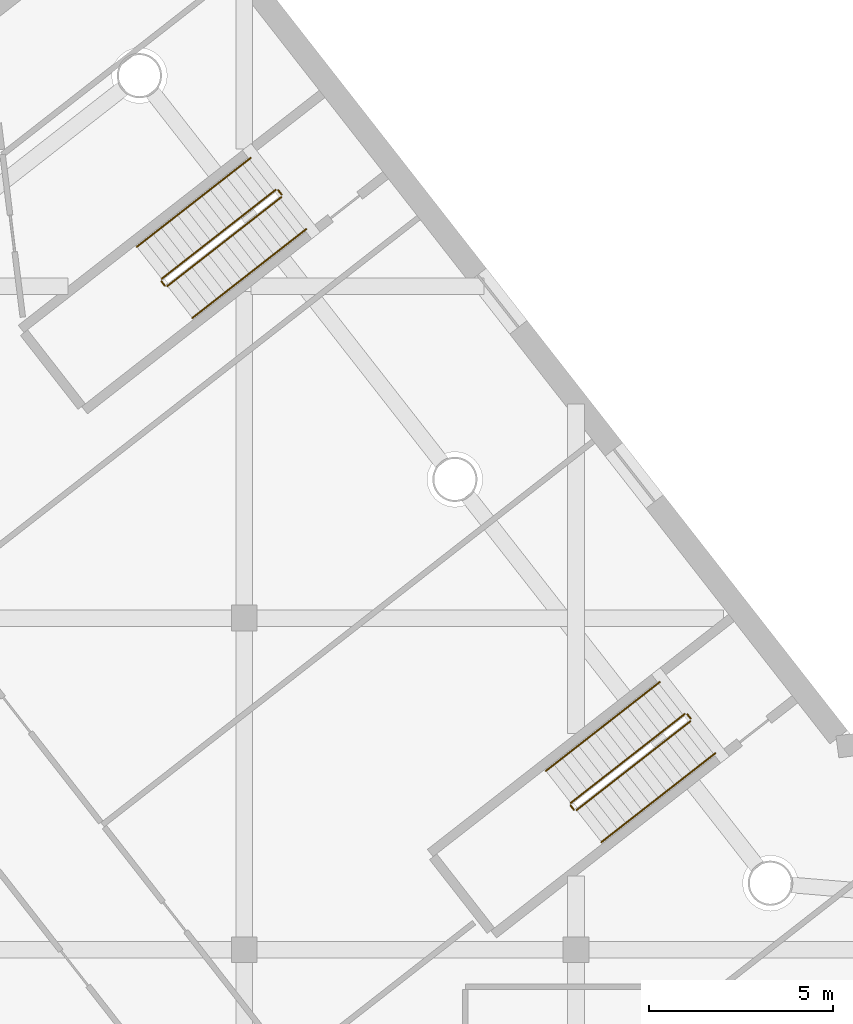
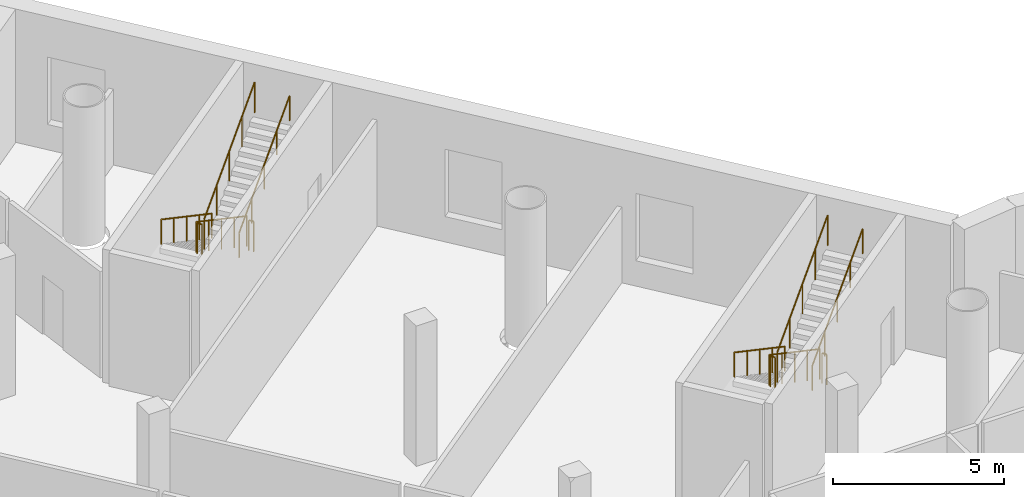
# One storey, part 22 of 22: 16 railings.
"""IFC4 building model written with IfcOpenShell, lengths in metres."""

from ifc_helpers import new_model, si_unit, direction, frame, origin, origin_2d, place, context, subcontext, project, spatial, circle, extrude, material, type_object, element, save


model = new_model("IFC4")

# Units and contexts
model_context = context("Model", 3, precision=1e-05, world=origin(), true_north=direction((0.0, 1.0)))
body_context = subcontext(model_context, "Body", "Model", "MODEL_VIEW")
ifc_project = project(units=[si_unit("LENGTHUNIT", "METRE"), si_unit("AREAUNIT", "SQUARE_METRE"), si_unit("VOLUMEUNIT", "CUBIC_METRE"), si_unit("PLANEANGLEUNIT", "RADIAN"), si_unit("MASSUNIT", "GRAM", prefix="KILO")], contexts=[model_context])

# Site, building, storey
site_placement = place(None, origin())
site = spatial("IfcSite", under=ifc_project, at=site_placement, CompositionType="ELEMENT")
building_placement = place(site_placement, origin())
building = spatial("IfcBuilding", under=site, at=building_placement, Name="Tarsis Ring Headquarters", CompositionType="ELEMENT")
storey_placement = place(building_placement, frame((0.0, 0.0, 25.0)))
storey = spatial("IfcBuildingStorey", under=building, at=storey_placement, Name="L04", CompositionType="ELEMENT", Elevation=25.0)

# Railings
ifc_material = material(Name="Stainless steel", Category="steel")
railing_type_1 = type_object("IfcRailingType", Name="PO-RL-G", PredefinedType="GUARDRAIL", material=ifc_material)
railing_1_placement = place(storey_placement, frame((-6.04931640625, 33.3994140625, 0.166748046875)))
element("IfcRailing", 1, at=railing_1_placement, inside=storey, type_object=railing_type_1, Name="L04 PS3 stair guard 1", PredefinedType="GUARDRAIL", context=body_context, shape_type="SweptSolid", body=[
    extrude(circle(Radius=0.02392578125, at=origin_2d()), frame((0.0, 0.0, 1.076171875), z_axis=(-0.677387004646, -0.528711876345, 0.511478834116), x_axis=(0.615285015563, -0.788304731448, 0.0)), (0.0, 0.0, 1.0), 4.561767578125),
    extrude(circle(Radius=0.02099609375, at=origin_2d()), origin(), (0.0, 0.0, 1.0), 1.052001953125),
    extrude(circle(Radius=0.02099609375, at=origin_2d()), frame((-0.7724609375, -0.60302734375, 0.583251953125)), (0.0, 0.0, 1.0), 1.052001953125),
    extrude(circle(Radius=0.02099609375, at=origin_2d()), frame((-1.544921875, -1.2060546875, 1.16650390625)), (0.0, 0.0, 1.0), 1.052001953125),
    extrude(circle(Radius=0.02099609375, at=origin_2d()), frame((-2.317626953125, -1.808837890625, 1.75)), (0.0, 0.0, 1.0), 1.052001953125),
    extrude(circle(Radius=0.02099609375, at=origin_2d()), frame((-3.090087890625, -2.411865234375, 2.333251953125)), (0.0, 0.0, 1.0), 1.052001953125),
])
railing_2_placement = place(storey_placement, frame((-9.148193359375, 30.917236328125, 2.5)))
element("IfcRailing", 2, at=railing_2_placement, inside=storey, type_object=railing_type_1, Name="L04 PS3 stair guard 2", PredefinedType="GUARDRAIL", context=body_context, shape_type="SweptSolid", body=[
    extrude(circle(Radius=0.02392578125, at=origin_2d()), frame((0.0, 0.0, 1.076171875), z_axis=(0.615517636689, -0.788123111528, 0.0), x_axis=(0.788123111528, 0.615517636689, 0.0)), (0.0, 0.0, 1.0), 0.14990234375),
    extrude(circle(Radius=0.02099609375, at=origin_2d()), origin(), (0.0, 0.0, 1.0), 1.052001953125),
    extrude(circle(Radius=0.02099609375, at=origin_2d()), frame((0.09228515625, -0.1181640625, 0.0)), (0.0, 0.0, 1.0), 1.052001953125),
])
railing_3_placement = place(storey_placement, frame((-8.985595703125, 30.790283203125, 2.666748046875)))
element("IfcRailing", 3, at=railing_3_placement, inside=storey, type_object=railing_type_1, Name="L04 PS3 stair guard 3", PredefinedType="GUARDRAIL", context=body_context, shape_type="SweptSolid", body=[
    extrude(circle(Radius=0.02392578125, at=origin_2d()), frame((0.0, 0.0, 1.076171875), z_axis=(0.677367837142, 0.528750433038, 0.511464361189), x_axis=(-0.615323716961, 0.788274522832, 0.0)), (0.0, 0.0, 1.0), 4.56201171875),
    extrude(circle(Radius=0.02099609375, at=origin_2d()), origin(), (0.0, 0.0, 1.0), 1.052001953125),
    extrude(circle(Radius=0.02099609375, at=origin_2d()), frame((0.7724609375, 0.60302734375, 0.583251953125)), (0.0, 0.0, 1.0), 1.052001953125),
    extrude(circle(Radius=0.02099609375, at=origin_2d()), frame((1.544921875, 1.2060546875, 1.16650390625)), (0.0, 0.0, 1.0), 1.052001953125),
    extrude(circle(Radius=0.02099609375, at=origin_2d()), frame((2.317626953125, 1.80908203125, 1.75)), (0.0, 0.0, 1.0), 1.052001953125),
    extrude(circle(Radius=0.02099609375, at=origin_2d()), frame((3.090087890625, 2.412109375, 2.333251953125)), (0.0, 0.0, 1.0), 1.052001953125),
])
railing_4_placement = place(storey_placement, frame((-5.979248046875, 33.390869140625, 0.0)))
element("IfcRailing", 4, at=railing_4_placement, inside=storey, type_object=railing_type_1, Name="L04 PS3 stair guard 4", PredefinedType="GUARDRAIL", context=body_context, shape_type="SweptSolid", body=[
    extrude(circle(Radius=0.02392578125, at=origin_2d()), frame((0.0, 0.0, 1.076171875), z_axis=(0.615517636689, -0.788123111528, 0.0), x_axis=(0.788123111528, 0.615517636689, 0.0)), (0.0, 0.0, 1.0), 0.14990234375),
    extrude(circle(Radius=0.02099609375, at=origin_2d()), origin(), (0.0, 0.0, 1.0), 1.052001953125),
    extrude(circle(Radius=0.02099609375, at=origin_2d()), frame((0.09228515625, -0.1181640625, 0.0)), (0.0, 0.0, 1.0), 1.052001953125),
])
railing_5_placement = place(storey_placement, frame((-17.1494140625, 47.61962890625, 0.166748046875)))
element("IfcRailing", 5, at=railing_5_placement, inside=storey, type_object=railing_type_1, Name="L04 PS4 stair guard 1", PredefinedType="GUARDRAIL", context=body_context, shape_type="SweptSolid", body=[
    extrude(circle(Radius=0.02392578125, at=origin_2d()), frame((0.0, 0.0, 1.076171875), z_axis=(-0.677367837142, -0.528750433038, 0.511464361189), x_axis=(0.615323716961, -0.788274522832, 0.0)), (0.0, 0.0, 1.0), 4.56201171875),
    extrude(circle(Radius=0.02099609375, at=origin_2d()), origin(), (0.0, 0.0, 1.0), 1.052001953125),
    extrude(circle(Radius=0.02099609375, at=origin_2d()), frame((-0.7724609375, -0.60302734375, 0.583251953125)), (0.0, 0.0, 1.0), 1.052001953125),
    extrude(circle(Radius=0.02099609375, at=origin_2d()), frame((-1.544921875, -1.2060546875, 1.16650390625)), (0.0, 0.0, 1.0), 1.052001953125),
    extrude(circle(Radius=0.02099609375, at=origin_2d()), frame((-2.317626953125, -1.80908203125, 1.75)), (0.0, 0.0, 1.0), 1.052001953125),
    extrude(circle(Radius=0.02099609375, at=origin_2d()), frame((-3.090087890625, -2.412109375, 2.333251953125)), (0.0, 0.0, 1.0), 1.052001953125),
])
railing_6_placement = place(storey_placement, frame((-20.248046875, 45.13720703125, 2.5)))
element("IfcRailing", 6, at=railing_6_placement, inside=storey, type_object=railing_type_1, Name="L04 PS4 stair guard 2", PredefinedType="GUARDRAIL", context=body_context, shape_type="SweptSolid", body=[
    extrude(circle(Radius=0.02392578125, at=origin_2d()), frame((0.0, 0.0, 1.076171875), z_axis=(0.615517636689, -0.788123111528, 0.0), x_axis=(0.788123111528, 0.615517636689, 0.0)), (0.0, 0.0, 1.0), 0.14990234375),
    extrude(circle(Radius=0.02099609375, at=origin_2d()), origin(), (0.0, 0.0, 1.0), 1.052001953125),
    extrude(circle(Radius=0.02099609375, at=origin_2d()), frame((0.09228515625, -0.1181640625, 0.0)), (0.0, 0.0, 1.0), 1.052001953125),
])
railing_7_placement = place(storey_placement, frame((-20.085693359375, 45.010498046875, 2.666748046875)))
element("IfcRailing", 7, at=railing_7_placement, inside=storey, type_object=railing_type_1, Name="L04 PS4 stair guard 3", PredefinedType="GUARDRAIL", context=body_context, shape_type="SweptSolid", body=[
    extrude(circle(Radius=0.02392578125, at=origin_2d()), frame((0.0, 0.0, 1.076171875), z_axis=(0.677387004646, 0.528711876345, 0.511478834116), x_axis=(-0.615285015563, 0.788304731448, 0.0)), (0.0, 0.0, 1.0), 4.561767578125),
    extrude(circle(Radius=0.02099609375, at=origin_2d()), origin(), (0.0, 0.0, 1.0), 1.052001953125),
    extrude(circle(Radius=0.02099609375, at=origin_2d()), frame((0.7724609375, 0.60302734375, 0.583251953125)), (0.0, 0.0, 1.0), 1.052001953125),
    extrude(circle(Radius=0.02099609375, at=origin_2d()), frame((1.544921875, 1.2060546875, 1.16650390625)), (0.0, 0.0, 1.0), 1.052001953125),
    extrude(circle(Radius=0.02099609375, at=origin_2d()), frame((2.317626953125, 1.808837890625, 1.75)), (0.0, 0.0, 1.0), 1.052001953125),
    extrude(circle(Radius=0.02099609375, at=origin_2d()), frame((3.090087890625, 2.411865234375, 2.333251953125)), (0.0, 0.0, 1.0), 1.052001953125),
])
railing_8_placement = place(storey_placement, frame((-17.0791015625, 47.61083984375, 0.0)))
element("IfcRailing", 8, at=railing_8_placement, inside=storey, type_object=railing_type_1, Name="L04 PS4 stair guard 4", PredefinedType="GUARDRAIL", context=body_context, shape_type="SweptSolid", body=[
    extrude(circle(Radius=0.02392578125, at=origin_2d()), frame((0.0, 0.0, 1.076171875), z_axis=(0.615517636689, -0.788123111528, 0.0), x_axis=(0.788123111528, 0.615517636689, 0.0)), (0.0, 0.0, 1.0), 0.14990234375),
    extrude(circle(Radius=0.02099609375, at=origin_2d()), origin(), (0.0, 0.0, 1.0), 1.052001953125),
    extrude(circle(Radius=0.02099609375, at=origin_2d()), frame((0.09228515625, -0.1181640625, 0.0)), (0.0, 0.0, 1.0), 1.052001953125),
])
railing_type_2 = type_object("IfcRailingType", Name="PO-RL-H", PredefinedType="HANDRAIL", material=ifc_material)
railing_9_placement = place(storey_placement, frame((-6.726318359375, 34.2666015625, 0.166748046875)))
element("IfcRailing", 9, at=railing_9_placement, inside=storey, type_object=railing_type_2, Name="L04 PS3 stair handrail 1", PredefinedType="HANDRAIL", context=body_context, shape_type="SweptSolid", body=[
    extrude(circle(Radius=0.02392578125, at=origin_2d()), frame((0.0, 0.0, 0.8759765625), z_axis=(-0.677357414854, -0.528784075439, 0.511443383087), x_axis=(0.615353926401, -0.78825094054, 0.0)), (0.0, 0.0, 1.0), 2.28076171875),
    extrude(circle(Radius=0.02099609375, at=origin_2d()), origin(), (0.0, 0.0, 1.0), 0.851806640625),
    extrude(circle(Radius=0.02099609375, at=origin_2d()), frame((-0.7724609375, -0.60302734375, 0.583251953125)), (0.0, 0.0, 1.0), 0.851806640625),
    extrude(circle(Radius=0.02099609375, at=origin_2d()), frame((-1.544921875, -1.2060546875, 1.16650390625)), (0.0, 0.0, 1.0), 0.851806640625),
])
railing_10_placement = place(storey_placement, frame((-8.271240234375, 33.060546875, 1.333251953125)))
element("IfcRailing", 10, at=railing_10_placement, inside=storey, type_object=railing_type_2, Name="L04 PS3 stair handrail 1 bay 2", PredefinedType="HANDRAIL", context=body_context, shape_type="SweptSolid", body=[
    extrude(circle(Radius=0.02392578125, at=origin_2d()), frame((0.0, 0.0, 0.8759765625), z_axis=(-0.677378256966, -0.52871679403, 0.511485335763), x_axis=(0.615293509583, -0.78829810165, 0.0)), (0.0, 0.0, 1.0), 2.281005859375),
    extrude(circle(Radius=0.02099609375, at=origin_2d()), frame((-0.7724609375, -0.60302734375, 0.58349609375)), (0.0, 0.0, 1.0), 0.851806640625),
    extrude(circle(Radius=0.02099609375, at=origin_2d()), frame((-1.545166015625, -1.2060546875, 1.166748046875)), (0.0, 0.0, 1.0), 0.851806640625),
])
railing_11_placement = place(storey_placement, frame((-8.308837890625, 29.92333984375, 2.666748046875)))
element("IfcRailing", 11, at=railing_11_placement, inside=storey, type_object=railing_type_2, Name="L04 PS3 stair handrail 2", PredefinedType="HANDRAIL", context=body_context, shape_type="SweptSolid", body=[
    extrude(circle(Radius=0.02392578125, at=origin_2d()), frame((0.0, 0.0, 0.8759765625), z_axis=(0.677415337913, 0.528745736971, 0.511406301872), x_axis=(-0.615293509583, 0.78829810165, 0.0)), (0.0, 0.0, 1.0), 2.281005859375),
    extrude(circle(Radius=0.02099609375, at=origin_2d()), origin(), (0.0, 0.0, 1.0), 0.851806640625),
    extrude(circle(Radius=0.02099609375, at=origin_2d()), frame((0.7724609375, 0.60302734375, 0.583251953125)), (0.0, 0.0, 1.0), 0.851806640625),
    extrude(circle(Radius=0.02099609375, at=origin_2d()), frame((1.545166015625, 1.2060546875, 1.16650390625)), (0.0, 0.0, 1.0), 0.851806640625),
])
railing_12_placement = place(storey_placement, frame((-6.763671875, 31.12939453125, 3.833251953125)))
element("IfcRailing", 12, at=railing_12_placement, inside=storey, type_object=railing_type_2, Name="L04 PS3 stair handrail 2 bay 2", PredefinedType="HANDRAIL", context=body_context, shape_type="SweptSolid", body=[
    extrude(circle(Radius=0.02392578125, at=origin_2d()), frame((0.0, 0.0, 0.8759765625), z_axis=(0.677320331702, 0.528755126202, 0.511522418648), x_axis=(-0.615353926401, 0.78825094054, 0.0)), (0.0, 0.0, 1.0), 2.281005859375),
    extrude(circle(Radius=0.02099609375, at=origin_2d()), frame((0.7724609375, 0.60302734375, 0.58349609375)), (0.0, 0.0, 1.0), 0.851806640625),
    extrude(circle(Radius=0.02099609375, at=origin_2d()), frame((1.544921875, 1.2060546875, 1.166748046875)), (0.0, 0.0, 1.0), 0.851806640625),
])
railing_13_placement = place(storey_placement, frame((-17.826171875, 48.486572265625, 0.166748046875)))
element("IfcRailing", 13, at=railing_13_placement, inside=storey, type_object=railing_type_2, Name="L04 PS4 stair handrail 1", PredefinedType="HANDRAIL", context=body_context, shape_type="SweptSolid", body=[
    extrude(circle(Radius=0.02392578125, at=origin_2d()), frame((0.0, 0.0, 0.8759765625), z_axis=(-0.677415337913, -0.528745736971, 0.511406301872), x_axis=(0.615293509583, -0.78829810165, 0.0)), (0.0, 0.0, 1.0), 2.281005859375),
    extrude(circle(Radius=0.02099609375, at=origin_2d()), origin(), (0.0, 0.0, 1.0), 0.851806640625),
    extrude(circle(Radius=0.02099609375, at=origin_2d()), frame((-0.7724609375, -0.60302734375, 0.583251953125)), (0.0, 0.0, 1.0), 0.851806640625),
    extrude(circle(Radius=0.02099609375, at=origin_2d()), frame((-1.545166015625, -1.2060546875, 1.16650390625)), (0.0, 0.0, 1.0), 0.851806640625),
])
railing_14_placement = place(storey_placement, frame((-19.371337890625, 47.280517578125, 1.333251953125)))
element("IfcRailing", 14, at=railing_14_placement, inside=storey, type_object=railing_type_2, Name="L04 PS4 stair handrail 1 bay 2", PredefinedType="HANDRAIL", context=body_context, shape_type="SweptSolid", body=[
    extrude(circle(Radius=0.02392578125, at=origin_2d()), frame((0.0, 0.0, 0.8759765625), z_axis=(-0.677320331702, -0.528755126202, 0.511522418648), x_axis=(0.615353926401, -0.78825094054, 0.0)), (0.0, 0.0, 1.0), 2.281005859375),
    extrude(circle(Radius=0.02099609375, at=origin_2d()), frame((-0.7724609375, -0.60302734375, 0.58349609375)), (0.0, 0.0, 1.0), 0.851806640625),
    extrude(circle(Radius=0.02099609375, at=origin_2d()), frame((-1.544921875, -1.2060546875, 1.166748046875)), (0.0, 0.0, 1.0), 0.851806640625),
])
railing_15_placement = place(storey_placement, frame((-19.40869140625, 44.143310546875, 2.666748046875)))
element("IfcRailing", 15, at=railing_15_placement, inside=storey, type_object=railing_type_2, Name="L04 PS4 stair handrail 2", PredefinedType="HANDRAIL", context=body_context, shape_type="SweptSolid", body=[
    extrude(circle(Radius=0.02392578125, at=origin_2d()), frame((0.0, 0.0, 0.8759765625), z_axis=(0.677357414854, 0.528784075439, 0.511443383087), x_axis=(-0.615353926401, 0.78825094054, 0.0)), (0.0, 0.0, 1.0), 2.28076171875),
    extrude(circle(Radius=0.02099609375, at=origin_2d()), origin(), (0.0, 0.0, 1.0), 0.851806640625),
    extrude(circle(Radius=0.02099609375, at=origin_2d()), frame((0.7724609375, 0.60302734375, 0.583251953125)), (0.0, 0.0, 1.0), 0.851806640625),
    extrude(circle(Radius=0.02099609375, at=origin_2d()), frame((1.544921875, 1.2060546875, 1.16650390625)), (0.0, 0.0, 1.0), 0.851806640625),
])
railing_16_placement = place(storey_placement, frame((-17.86376953125, 45.349365234375, 3.833251953125)))
element("IfcRailing", 16, at=railing_16_placement, inside=storey, type_object=railing_type_2, Name="L04 PS4 stair handrail 2 bay 2", PredefinedType="HANDRAIL", context=body_context, shape_type="SweptSolid", body=[
    extrude(circle(Radius=0.02392578125, at=origin_2d()), frame((0.0, 0.0, 0.8759765625), z_axis=(0.677378256966, 0.52871679403, 0.511485335763), x_axis=(-0.615293509583, 0.78829810165, 0.0)), (0.0, 0.0, 1.0), 2.281005859375),
    extrude(circle(Radius=0.02099609375, at=origin_2d()), frame((0.7724609375, 0.60302734375, 0.58349609375)), (0.0, 0.0, 1.0), 0.851806640625),
    extrude(circle(Radius=0.02099609375, at=origin_2d()), frame((1.545166015625, 1.2060546875, 1.166748046875)), (0.0, 0.0, 1.0), 0.851806640625),
])

save(model, "model.ifc")
